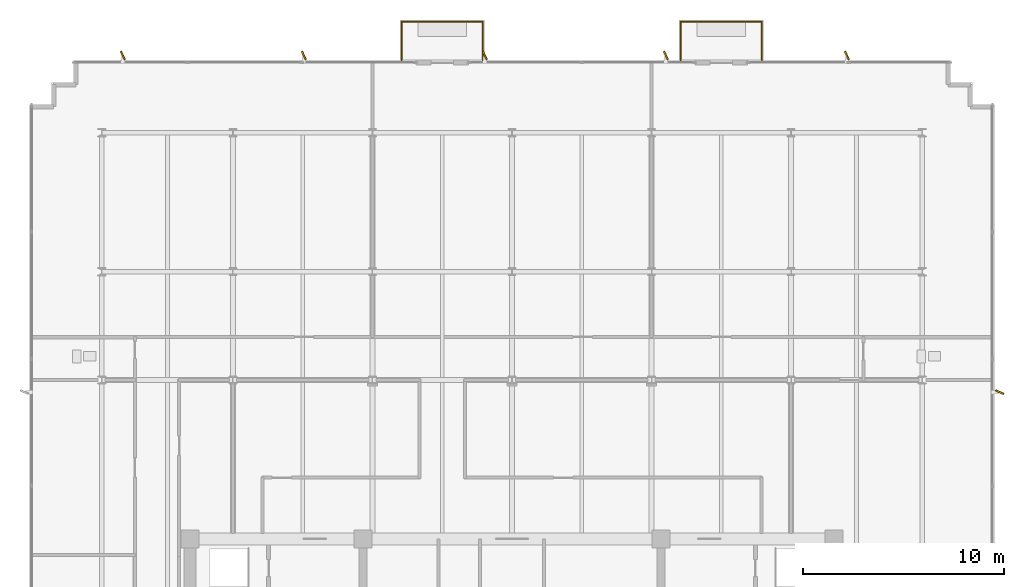
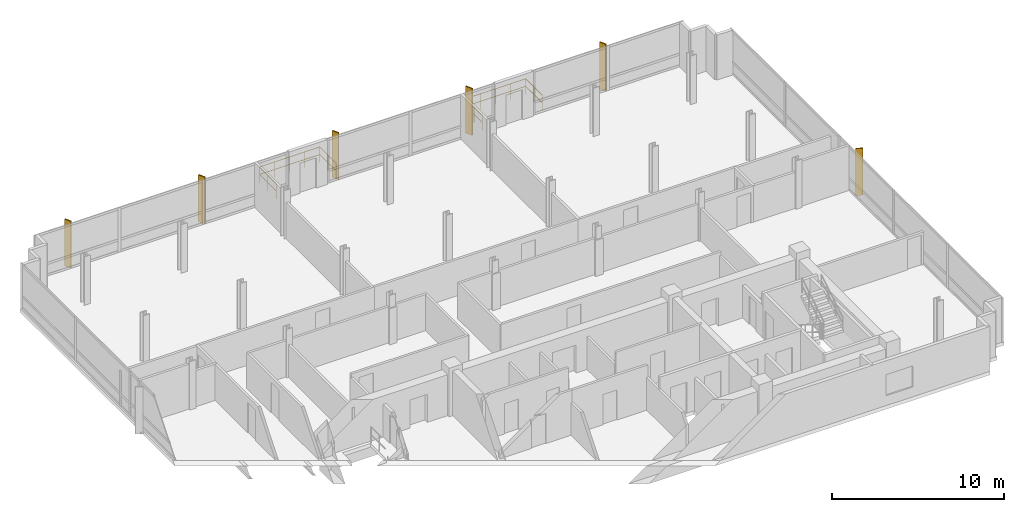
# One storey, part 12 of 13: 6 railings, 6 shading devices.
"""IFC4 building model written with IfcOpenShell, lengths in metres."""

from ifc_helpers import new_model, si_unit, direction, frame, origin, origin_2d, place, context, subcontext, project, spatial, rectangle, circle, extrude, material, layer, layer_set, type_object, element, save


model = new_model("IFC4")

# Units and contexts
model_context = context("Model", 3, precision=1e-05, world=origin(), true_north=direction((0.0, 1.0)))
body_context = subcontext(model_context, "Body", "Model", "MODEL_VIEW")
ifc_project = project(units=[si_unit("LENGTHUNIT", "METRE"), si_unit("AREAUNIT", "SQUARE_METRE"), si_unit("VOLUMEUNIT", "CUBIC_METRE"), si_unit("PLANEANGLEUNIT", "RADIAN"), si_unit("MASSUNIT", "GRAM", prefix="KILO")], contexts=[model_context])

# Site, building, storey
site_placement = place(None, origin())
site = spatial("IfcSite", under=ifc_project, at=site_placement, CompositionType="ELEMENT")
building_placement = place(site_placement, origin())
building = spatial("IfcBuilding", under=site, at=building_placement, Name="Solmavex Isthmus Hotel", CompositionType="ELEMENT")
storey_placement = place(building_placement, frame((0.0, 0.0, 279.89990234375)))
storey = spatial("IfcBuildingStorey", under=building, at=storey_placement, Name="L76", CompositionType="ELEMENT", Elevation=279.89990234375)

# Railings
ifc_material_1 = material(Name="Clear low-E laminated glass", Category="glass")
ifc_layer = layer(ifc_material_1, 0.070068359375)
ifc_layer_set = layer_set([ifc_layer], Name="Clear low-E laminated glass")
railing_type = type_object("IfcRailingType", Name="RAIL-GUARD-1100", PredefinedType="BALUSTRADE", material=ifc_layer_set)
railing_1_placement = place(storey_placement, frame((-5.488037109375, 21.300048828125, 0.0)))
element("IfcRailing", 1, at=railing_1_placement, inside=storey, type_object=railing_type, Name="Guardrail Balustrade L76-BAL1-01", PredefinedType="BALUSTRADE", context=body_context, shape_type="SweptSolid", body=[
    extrude(circle(Radius=0.02392578125, at=origin_2d()), frame((0.0, 0.0, 1.09619140625), z_axis=(0.0, 1.0, 0.0), x_axis=(-1.0, 0.0, 0.0)), (0.0, 0.0, 1.0), 1.919921875),
    extrude(circle(Radius=0.02392578125, at=origin_2d()), frame((0.0, 0.0, 0.56005859375), z_axis=(0.0, 1.0, 0.0), x_axis=(-1.0, 0.0, 0.0)), (0.0, 0.0, 1.0), 1.919921875),
    extrude(circle(Radius=0.02099609375, at=origin_2d()), origin(), (0.0, 0.0, 1.0), 1.072021484375),
    extrude(circle(Radius=0.02099609375, at=origin_2d()), frame((0.0, 0.9599609375, 0.0)), (0.0, 0.0, 1.0), 1.072021484375),
    extrude(circle(Radius=0.02099609375, at=origin_2d()), frame((0.0, 1.919921875, 0.0)), (0.0, 0.0, 1.0), 1.072021484375),
])
railing_2_placement = place(storey_placement, frame((-5.488037109375, 23.219970703125, 0.0)))
element("IfcRailing", 2, at=railing_2_placement, inside=storey, type_object=railing_type, Name="Guardrail Balustrade L76-BAL1-02", PredefinedType="BALUSTRADE", context=body_context, shape_type="SweptSolid", body=[
    extrude(circle(Radius=0.02392578125, at=origin_2d()), frame((0.0, 0.0, 1.09619140625), z_axis=(1.0, 0.0, 0.0), x_axis=(0.0, 1.0, 0.0)), (0.0, 0.0, 1.0), 4.0400390625),
    extrude(circle(Radius=0.02392578125, at=origin_2d()), frame((0.0, 0.0, 0.56005859375), z_axis=(1.0, 0.0, 0.0), x_axis=(0.0, 1.0, 0.0)), (0.0, 0.0, 1.0), 4.0400390625),
    extrude(circle(Radius=0.02099609375, at=origin_2d()), origin(), (0.0, 0.0, 1.0), 1.072021484375),
    extrude(circle(Radius=0.02099609375, at=origin_2d()), frame((1.010009765625, 0.0, 0.0)), (0.0, 0.0, 1.0), 1.072021484375),
    extrude(circle(Radius=0.02099609375, at=origin_2d()), frame((2.02001953125, 0.0, 0.0)), (0.0, 0.0, 1.0), 1.072021484375),
    extrude(circle(Radius=0.02099609375, at=origin_2d()), frame((3.030029296875, 0.0, 0.0)), (0.0, 0.0, 1.0), 1.072021484375),
    extrude(circle(Radius=0.02099609375, at=origin_2d()), frame((4.0400390625, 0.0, 0.0)), (0.0, 0.0, 1.0), 1.072021484375),
])
railing_3_placement = place(storey_placement, frame((-1.447998046875, 23.219970703125, 0.0)))
element("IfcRailing", 3, at=railing_3_placement, inside=storey, type_object=railing_type, Name="Guardrail Balustrade L76-BAL1-03", PredefinedType="BALUSTRADE", context=body_context, shape_type="SweptSolid", body=[
    extrude(circle(Radius=0.02392578125, at=origin_2d()), frame((0.0, 0.0, 1.09619140625), z_axis=(0.0, -1.0, 0.0), x_axis=(1.0, 0.0, 0.0)), (0.0, 0.0, 1.0), 1.919921875),
    extrude(circle(Radius=0.02392578125, at=origin_2d()), frame((0.0, 0.0, 0.56005859375), z_axis=(0.0, -1.0, 0.0), x_axis=(1.0, 0.0, 0.0)), (0.0, 0.0, 1.0), 1.919921875),
    extrude(circle(Radius=0.02099609375, at=origin_2d()), origin(), (0.0, 0.0, 1.0), 1.072021484375),
    extrude(circle(Radius=0.02099609375, at=origin_2d()), frame((0.0, -0.9599609375, 0.0)), (0.0, 0.0, 1.0), 1.072021484375),
    extrude(circle(Radius=0.02099609375, at=origin_2d()), frame((0.0, -1.919921875, 0.0)), (0.0, 0.0, 1.0), 1.072021484375),
])
railing_4_placement = place(storey_placement, frame((8.384033203125, 21.300048828125, 0.0)))
element("IfcRailing", 4, at=railing_4_placement, inside=storey, type_object=railing_type, Name="Guardrail Balustrade L76-BAL2-01", PredefinedType="BALUSTRADE", context=body_context, shape_type="SweptSolid", body=[
    extrude(circle(Radius=0.02392578125, at=origin_2d()), frame((0.0, 0.0, 1.09619140625), z_axis=(0.0, 1.0, 0.0), x_axis=(-1.0, 0.0, 0.0)), (0.0, 0.0, 1.0), 1.919921875),
    extrude(circle(Radius=0.02392578125, at=origin_2d()), frame((0.0, 0.0, 0.56005859375), z_axis=(0.0, 1.0, 0.0), x_axis=(-1.0, 0.0, 0.0)), (0.0, 0.0, 1.0), 1.919921875),
    extrude(circle(Radius=0.02099609375, at=origin_2d()), origin(), (0.0, 0.0, 1.0), 1.072021484375),
    extrude(circle(Radius=0.02099609375, at=origin_2d()), frame((0.0, 0.9599609375, 0.0)), (0.0, 0.0, 1.0), 1.072021484375),
    extrude(circle(Radius=0.02099609375, at=origin_2d()), frame((0.0, 1.919921875, 0.0)), (0.0, 0.0, 1.0), 1.072021484375),
])
railing_5_placement = place(storey_placement, frame((8.384033203125, 23.219970703125, 0.0)))
element("IfcRailing", 5, at=railing_5_placement, inside=storey, type_object=railing_type, Name="Guardrail Balustrade L76-BAL2-02", PredefinedType="BALUSTRADE", context=body_context, shape_type="SweptSolid", body=[
    extrude(circle(Radius=0.02392578125, at=origin_2d()), frame((0.0, 0.0, 1.09619140625), z_axis=(1.0, 0.0, 0.0), x_axis=(0.0, 1.0, 0.0)), (0.0, 0.0, 1.0), 4.0400390625),
    extrude(circle(Radius=0.02392578125, at=origin_2d()), frame((0.0, 0.0, 0.56005859375), z_axis=(1.0, 0.0, 0.0), x_axis=(0.0, 1.0, 0.0)), (0.0, 0.0, 1.0), 4.0400390625),
    extrude(circle(Radius=0.02099609375, at=origin_2d()), origin(), (0.0, 0.0, 1.0), 1.072021484375),
    extrude(circle(Radius=0.02099609375, at=origin_2d()), frame((1.010009765625, 0.0, 0.0)), (0.0, 0.0, 1.0), 1.072021484375),
    extrude(circle(Radius=0.02099609375, at=origin_2d()), frame((2.02001953125, 0.0, 0.0)), (0.0, 0.0, 1.0), 1.072021484375),
    extrude(circle(Radius=0.02099609375, at=origin_2d()), frame((3.030029296875, 0.0, 0.0)), (0.0, 0.0, 1.0), 1.072021484375),
    extrude(circle(Radius=0.02099609375, at=origin_2d()), frame((4.0400390625, 0.0, 0.0)), (0.0, 0.0, 1.0), 1.072021484375),
])
railing_6_placement = place(storey_placement, frame((12.424072265625, 23.219970703125, 0.0)))
element("IfcRailing", 6, at=railing_6_placement, inside=storey, type_object=railing_type, Name="Guardrail Balustrade L76-BAL2-03", PredefinedType="BALUSTRADE", context=body_context, shape_type="SweptSolid", body=[
    extrude(circle(Radius=0.02392578125, at=origin_2d()), frame((0.0, 0.0, 1.09619140625), z_axis=(0.0, -1.0, 0.0), x_axis=(1.0, 0.0, 0.0)), (0.0, 0.0, 1.0), 1.919921875),
    extrude(circle(Radius=0.02392578125, at=origin_2d()), frame((0.0, 0.0, 0.56005859375), z_axis=(0.0, -1.0, 0.0), x_axis=(1.0, 0.0, 0.0)), (0.0, 0.0, 1.0), 1.919921875),
    extrude(circle(Radius=0.02099609375, at=origin_2d()), origin(), (0.0, 0.0, 1.0), 1.072021484375),
    extrude(circle(Radius=0.02099609375, at=origin_2d()), frame((0.0, -0.9599609375, 0.0)), (0.0, 0.0, 1.0), 1.072021484375),
    extrude(circle(Radius=0.02099609375, at=origin_2d()), frame((0.0, -1.919921875, 0.0)), (0.0, 0.0, 1.0), 1.072021484375),
])

# Shading devices
ifc_material_2 = material(Name="Aluminium alloy 6063-T6", Category="aluminium")
shading_device_type = type_object("IfcShadingDeviceType", Name="SHD-FIN-BRONZE", PredefinedType="USERDEFINED", material=ifc_material_2)
for number, where, z_axis, x_axis, name in (
    (7, (-19.35009765625, 21.5400390625, -0.139892578125), (0.0, 0.0, 1.0), (-0.438371146789, 0.898794046299, 0.0), "Anodised Aluminium Solar Fin L76-N1"),
    (8, (-10.35009765625, 21.5400390625, -0.139892578125), (0.0, 0.0, 1.0), (-0.438371146789, 0.898794046299, 0.0), "Anodised Aluminium Solar Fin L76-N2"),
    (9, (-1.35009765625, 21.5400390625, -0.139892578125), (0.0, 0.0, 1.0), (-0.438371146789, 0.898794046299, 0.0), "Anodised Aluminium Solar Fin L76-N3"),
    (10, (7.64990234375, 21.5400390625, -0.139892578125), (0.0, 0.0, 1.0), (-0.438371146789, 0.898794046299, 0.0), "Anodised Aluminium Solar Fin L76-N4"),
    (11, (16.64990234375, 21.5400390625, -0.139892578125), (0.0, 0.0, 1.0), (-0.438371146789, 0.898794046299, 0.0), "Anodised Aluminium Solar Fin L76-N5"),
    (12, (24.239990234375, 4.800048828125, -0.139892578125), (0.0, 0.0, 1.0), (0.913545457643, -0.406736643076, 0.0), "Anodised Aluminium Solar Fin L76-E1"),
):
    element("IfcShadingDevice", number, at=place(storey_placement, frame(where, z_axis=z_axis, x_axis=x_axis)), inside=storey, type_object=shading_device_type, Name=name, ObjectType="SOLAR_FIN", PredefinedType="USERDEFINED", context=body_context, shape_type="SweptSolid", body=[
        extrude(rectangle(XDim=0.449951171875, YDim=0.080078125, at=origin_2d()), origin(), (0.0, 0.0, 1.0), 3.330078125),
    ])

save(model, "model.ifc")
